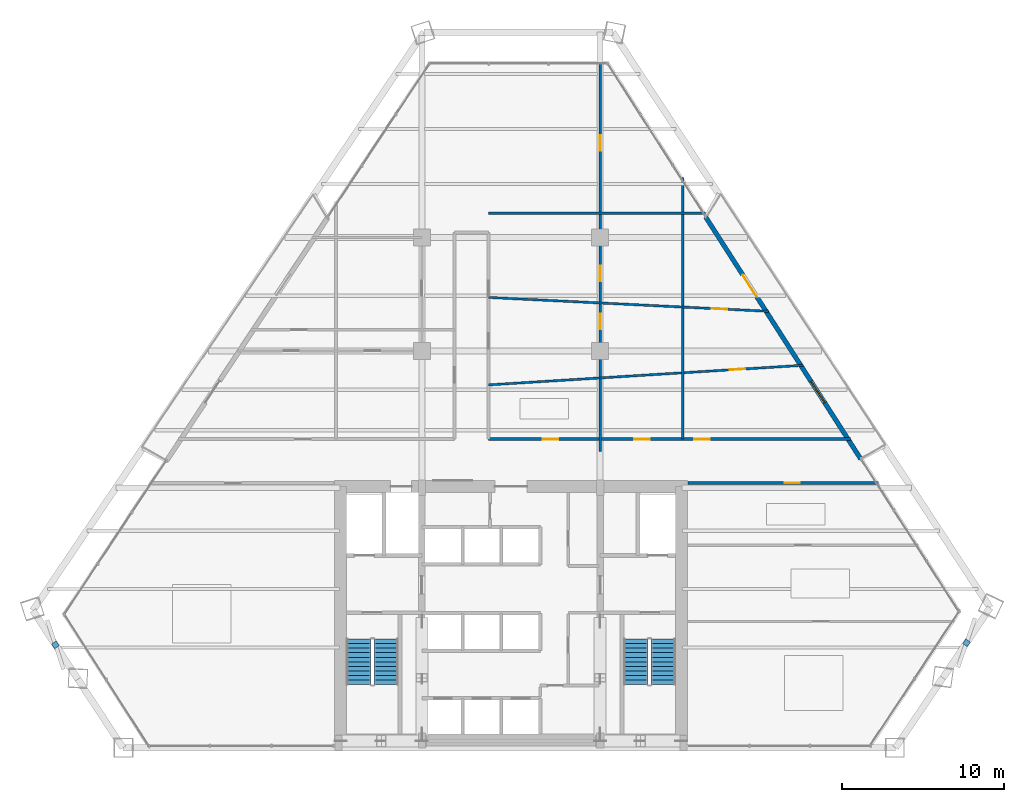
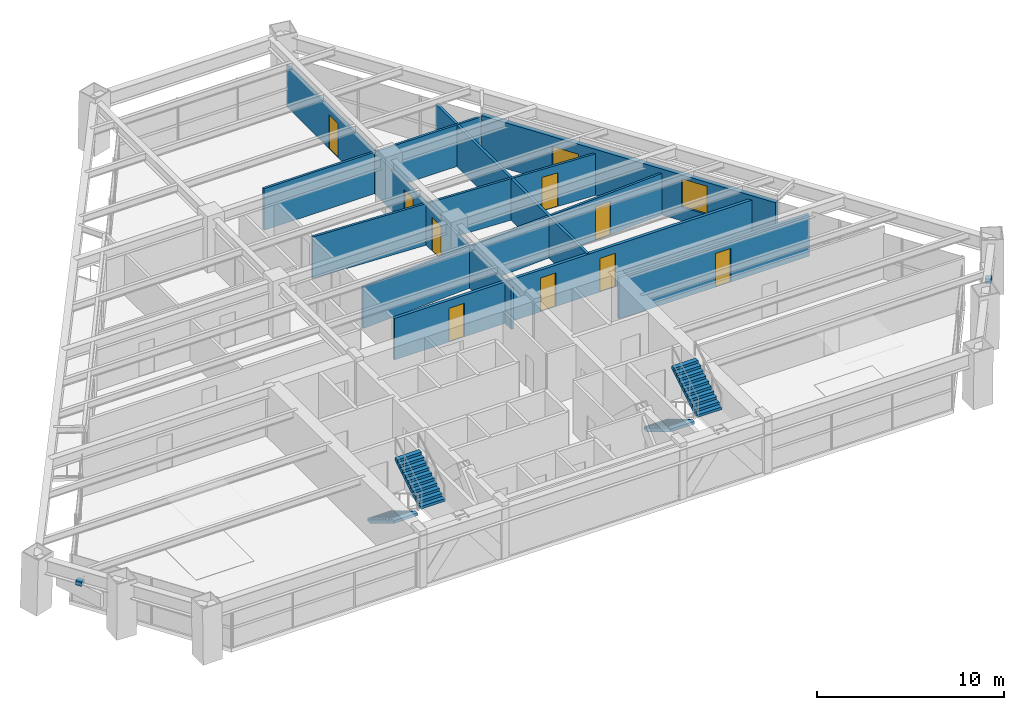
# One storey, part 12 of 14: 10 doors, 8 walls, 4 stair flights, 2 discrete accessories, 1 window, 11 openings, 2 elements without a shape of their own.
"""IFC4 building model written with IfcOpenShell, lengths in metres."""

from ifc_helpers import new_model, si_unit, direction, frame, frame_2d, origin, origin_2d, place, context, subcontext, project, spatial, polyline, rectangle, outline, extrude, source, transform, mapped, material, layer, layer_set, type_object, type_shapes, element, fill, aggregate, save


model = new_model("IFC4")

# Units and contexts
model_context = context("Model", 3, precision=1e-05, world=origin(), true_north=direction((0.0, 1.0)))
body_context = subcontext(model_context, "Body", "Model", "MODEL_VIEW")
ifc_project = project(units=[si_unit("LENGTHUNIT", "METRE"), si_unit("AREAUNIT", "SQUARE_METRE"), si_unit("VOLUMEUNIT", "CUBIC_METRE"), si_unit("PLANEANGLEUNIT", "RADIAN"), si_unit("MASSUNIT", "GRAM", prefix="KILO")], contexts=[model_context])

# Site, building, storey
site_placement = place(None, origin())
site = spatial("IfcSite", under=ifc_project, at=site_placement, CompositionType="ELEMENT")
building_placement = place(site_placement, origin())
building = spatial("IfcBuilding", under=site, at=building_placement, Name="Varnakhor Terracotta Tower", CompositionType="ELEMENT")
storey_placement = place(building_placement, frame((0.0, 0.0, 117.300048828125)))
storey = spatial("IfcBuildingStorey", under=building, at=storey_placement, Name="L29", CompositionType="ELEMENT", Elevation=117.300048828125)

# Wall, opening, door
ifc_material_1 = material(Name="Fire-Rated Gypsum Stud Partition", Category="gypsum")
ifc_layer_1 = layer(ifc_material_1, 0.18505859375, Name="Fire-Rated Gypsum Stud Partition")
ifc_layer_set_1 = layer_set([ifc_layer_1], Name="Fire-Rated Gypsum Stud Partition")
wall_type_1 = type_object("IfcWallType", Name="WAL-CORR-185", PredefinedType="PARTITIONING", material=ifc_layer_set_1)
wall_1_placement = place(storey_placement, frame((10.919921875, 16.35009765625, 0.0), z_axis=(0.0, 0.0, 1.0), x_axis=(1.0, 0.0, 0.0)))
wall_1 = element("IfcWall", 1, at=wall_1_placement, inside=storey, type_object=wall_type_1, Name="L29 South East Corridor Wall", PredefinedType="PARTITIONING", context=body_context, shape_type="SweptSolid", body=[
    extrude(rectangle(XDim=11.76806640625, YDim=0.18505859375, at=frame_2d((5.884033203125, 0.0))), origin(), (0.0, 0.0, 1.0), 2.717041015625),
])
opening_1_placement = place(wall_1_placement, frame((5.96337890625, 0.0, 0.0)))
opening_1 = element("IfcOpeningElement", 2, at=opening_1_placement, cuts=wall_1, Name="Opening DR-94", PredefinedType="OPENING", context=body_context, shape_type="SweptSolid", body=[
    extrude(rectangle(XDim=0.949951171875, YDim=2.199951171875, at=frame_2d((0.47509765625, 1.10009765625))), frame((0.0, 0.1025390625, 0.0), z_axis=(0.0, -1.0, 0.0), x_axis=(1.0, 0.0, 0.0)), (0.0, 0.0, 1.0), 0.205078125),
])
ifc_material_2 = material(Name="Acoustic Glazed-Vision Timber Office Door", Category="wood")
door_type_1 = type_object("IfcDoorType", Name="DR-OFF-950X2200", OperationType="NOTDEFINED", PredefinedType="DOOR", material=ifc_material_2)
shared_shape_1 = source(origin(), body_context, "Body", "SweptSolid", [
    extrude(rectangle(XDim=0.949951171875, YDim=2.199951171875, at=frame_2d((0.47509765625, 1.10009765625))), frame((0.0, 0.02490234375, 0.0), z_axis=(0.0, -1.0, 0.0), x_axis=(1.0, 0.0, 0.0)), (0.0, 0.0, 1.0), 0.050048828125),
])
type_shapes(door_type_1, [shared_shape_1])
door_1_placement = place(opening_1_placement, origin())
door_1 = element("IfcDoor", 3, at=door_1_placement, inside=storey, type_object=door_type_1, Name="L29 SE Suite Door", OperationType="SINGLE_SWING_LEFT", OverallHeight=2.199951171875, OverallWidth=0.949951171875, PredefinedType="DOOR", context=body_context, shape_type="MappedRepresentation", body=[
    mapped(shared_shape_1, transform((0.0, 0.0, 0.0), scale=1.0)),
])
fill(opening_1, door_1)

# Wall, openings, doors
wall_2_placement = place(storey_placement, frame((-1.39990234375, 19.050048828125, 0.0), z_axis=(0.0, 0.0, 1.0), x_axis=(1.0, 0.0, 0.0)))
wall_2 = element("IfcWall", 4, at=wall_2_placement, inside=storey, type_object=wall_type_1, Name="L29 Corridor North East Wall", PredefinedType="PARTITIONING", context=body_context, shape_type="SweptSolid", body=[
    extrude(rectangle(XDim=22.357421875, YDim=0.18505859375, at=frame_2d((11.1787109375, 0.0))), origin(), (0.0, 0.0, 1.0), 2.717041015625),
])
opening_2_placement = place(wall_2_placement, frame((12.715087890625, 0.0, 0.0)))
opening_2 = element("IfcOpeningElement", 5, at=opening_2_placement, cuts=wall_2, Name="Opening DR-94", PredefinedType="OPENING", context=body_context, shape_type="SweptSolid", body=[
    extrude(rectangle(XDim=0.949951171875, YDim=2.199951171875, at=frame_2d((0.47509765625, 1.10009765625))), frame((0.0, 0.1025390625, 0.0), z_axis=(0.0, -1.0, 0.0), x_axis=(1.0, 0.0, 0.0)), (0.0, 0.0, 1.0), 0.205078125),
])
opening_3_placement = place(wall_2_placement, frame((3.36328125, 0.0, 0.0)))
opening_3 = element("IfcOpeningElement", 6, at=opening_3_placement, cuts=wall_2, Name="Opening DR-94", PredefinedType="OPENING", context=body_context, shape_type="SweptSolid", body=[
    extrude(rectangle(XDim=0.949951171875, YDim=2.199951171875, at=frame_2d((0.47509765625, 1.10009765625))), frame((0.0, 0.1025390625, 0.0), z_axis=(0.0, -1.0, 0.0), x_axis=(1.0, 0.0, 0.0)), (0.0, 0.0, 1.0), 0.205078125),
])
opening_4_placement = place(wall_2_placement, frame((9.021484375, 0.0, 0.0)))
opening_4 = element("IfcOpeningElement", 7, at=opening_4_placement, cuts=wall_2, Name="Opening DR-94", PredefinedType="OPENING", context=body_context, shape_type="SweptSolid", body=[
    extrude(rectangle(XDim=0.949951171875, YDim=2.199951171875, at=frame_2d((0.47509765625, 1.10009765625))), frame((0.0, 0.1025390625, 0.0), z_axis=(0.0, -1.0, 0.0), x_axis=(1.0, 0.0, 0.0)), (0.0, 0.0, 1.0), 0.205078125),
])
door_2_placement = place(opening_2_placement, origin())
door_2 = element("IfcDoor", 8, at=door_2_placement, inside=storey, type_object=door_type_1, Name="L29 East Workplace Door", OperationType="SINGLE_SWING_LEFT", OverallHeight=2.199951171875, OverallWidth=0.949951171875, PredefinedType="DOOR", context=body_context, shape_type="MappedRepresentation", body=[
    mapped(shared_shape_1, transform((0.0, 0.0, 0.0), scale=1.0)),
])
fill(opening_2, door_2)
door_3_placement = place(opening_3_placement, origin())
door_3 = element("IfcDoor", 9, at=door_3_placement, inside=storey, type_object=door_type_1, Name="L29 Executive Dining Salon B6 Door", OperationType="SINGLE_SWING_LEFT", OverallHeight=2.199951171875, OverallWidth=0.949951171875, PredefinedType="DOOR", context=body_context, shape_type="MappedRepresentation", body=[
    mapped(shared_shape_1, transform((0.0, 0.0, 0.0), scale=1.0)),
])
fill(opening_3, door_3)
door_4_placement = place(opening_4_placement, origin())
door_4 = element("IfcDoor", 10, at=door_4_placement, inside=storey, type_object=door_type_1, Name="L29 Staff Pantry B7 Door", OperationType="SINGLE_SWING_RIGHT", OverallHeight=2.199951171875, OverallWidth=0.949951171875, PredefinedType="DOOR", context=body_context, shape_type="MappedRepresentation", body=[
    mapped(shared_shape_1, transform((0.0, 0.0, 0.0), scale=1.0)),
])
fill(opening_4, door_4)

# Wall, openings, door, window
ifc_material_3 = material(Name="Extruded Architectural Terracotta Assembly", Category="masonry")
ifc_layer_2 = layer(ifc_material_3, 0.280029296875, Name="Extruded Architectural Terracotta Assembly")
ifc_layer_set_2 = layer_set([ifc_layer_2], Name="Extruded Architectural Terracotta Assembly")
wall_type_2 = type_object("IfcWallType", Name="WAL-EXT-TERRACOTTA-280", PredefinedType="SOLIDWALL", material=ifc_layer_set_2)
wall_3_placement = place(storey_placement, frame((12.008056640625, 32.7724609375, 0.0), z_axis=(0.0, 0.0, 1.0), x_axis=(0.539602594501, -0.841919853673, 0.0)))
wall_3 = element("IfcWall", 11, at=wall_3_placement, inside=storey, type_object=wall_type_2, Name="L29 E Loggia Insulated Terracotta Wall", PredefinedType="SOLIDWALL", context=body_context, shape_type="SweptSolid", body=[
    extrude(rectangle(XDim=17.7421875, YDim=0.280029296875, at=frame_2d((8.87109375, 0.0))), origin(), (0.0, 0.0, 1.0), 3.0),
])
opening_5_placement = place(wall_3_placement, frame((4.258056640625, 0.0, 0.0)))
opening_5 = element("IfcOpeningElement", 12, at=opening_5_placement, cuts=wall_3, Name="Opening DR-62", PredefinedType="OPENING", context=body_context, shape_type="SweptSolid", body=[
    extrude(rectangle(XDim=1.60009765625, YDim=2.35009765625, at=frame_2d((0.800048828125, 1.175048828125))), frame((0.0, 0.14990234375, 0.0), z_axis=(0.0, -1.0, 0.0), x_axis=(1.0, 0.0, 0.0)), (0.0, 0.0, 1.0), 0.300048828125),
])
opening_6_placement = place(wall_3_placement, frame((12.064697265625, 0.0, 0.89990234375)))
opening_6 = element("IfcOpeningElement", 13, at=opening_6_placement, cuts=wall_3, Name="Opening WN-57", PredefinedType="OPENING", context=body_context, shape_type="SweptSolid", body=[
    extrude(rectangle(XDim=1.550048828125, YDim=1.85009765625, at=frame_2d((0.77490234375, 0.925048828125))), frame((0.0, 0.14990234375, 0.0), z_axis=(0.0, -1.0, 0.0), x_axis=(1.0, 0.0, 0.0)), (0.0, 0.0, 1.0), 0.300048828125),
])
ifc_material_4 = material(Name="Thermally Broken Sliding Glass Loggia Door", Category="glass")
door_type_2 = type_object("IfcDoorType", Name="DR-EXT-LOGGIA-1600X2350", OperationType="NOTDEFINED", PredefinedType="DOOR", material=ifc_material_4)
shared_shape_2 = source(origin(), body_context, "Body", "SweptSolid", [
    extrude(rectangle(XDim=1.60009765625, YDim=2.35009765625, at=frame_2d((0.800048828125, 1.175048828125))), frame((0.0, 0.02490234375, 0.0), z_axis=(0.0, -1.0, 0.0), x_axis=(1.0, 0.0, 0.0)), (0.0, 0.0, 1.0), 0.050048828125),
])
type_shapes(door_type_2, [shared_shape_2])
door_5_placement = place(opening_5_placement, origin())
door_5 = element("IfcDoor", 14, at=door_5_placement, inside=storey, type_object=door_type_2, Name="L29 E Recessed Loggia Sliding Door", OperationType="SLIDING_TO_RIGHT", OverallHeight=2.35009765625, OverallWidth=1.60009765625, PredefinedType="DOOR", context=body_context, shape_type="MappedRepresentation", body=[
    mapped(shared_shape_2, transform((0.0, 0.0, 0.0), scale=1.0)),
])
fill(opening_5, door_5)
ifc_material_5 = material(Name="Solar-Control Low-E Insulated Glass Unit", Category="glass")
window_type = type_object("IfcWindowType", Name="WIN-OFF-1650X2100", PartitioningType="SINGLE_PANEL", PredefinedType="WINDOW", material=ifc_material_5)
shared_shape_3 = source(origin(), body_context, "Body", "SweptSolid", [
    extrude(rectangle(XDim=1.550048828125, YDim=1.85009765625, at=frame_2d((0.77490234375, 0.925048828125))), frame((0.0, 0.030029296875, 0.0), z_axis=(0.0, -1.0, 0.0), x_axis=(1.0, 0.0, 0.0)), (0.0, 0.0, 1.0), 0.06005859375),
])
type_shapes(window_type, [shared_shape_3])
window_placement = place(opening_6_placement, origin())
window = element("IfcWindow", 15, at=window_placement, inside=storey, type_object=window_type, Name="L29 E Facet Punched Window", OverallHeight=1.85009765625, OverallWidth=1.550048828125, PartitioningType="SINGLE_PANEL", PredefinedType="WINDOW", context=body_context, shape_type="MappedRepresentation", body=[
    mapped(shared_shape_3, transform((0.0, 0.0, 0.0), scale=1.0)),
])
fill(opening_6, window)

# Wall, openings, doors
ifc_material_6 = material(Name="Acoustic Metal-Stud Partition", Category="gypsum")
ifc_layer_3 = layer(ifc_material_6, 0.139892578125, Name="Acoustic Metal-Stud Partition")
ifc_layer_set_3 = layer_set([ifc_layer_3], Name="Acoustic Metal-Stud Partition")
wall_type_3 = type_object("IfcWallType", Name="WAL-PART-140", PredefinedType="PARTITIONING", material=ifc_layer_set_3)
wall_4_placement = place(storey_placement, frame((5.5, 18.300048828125, 0.0), z_axis=(0.0, 0.0, 1.0), x_axis=(0.0, 1.0, 0.0)))
wall_4 = element("IfcWall", 16, at=wall_4_placement, inside=storey, type_object=wall_type_3, Name="L29 East Full Column Wall", PredefinedType="PARTITIONING", context=body_context, shape_type="SweptSolid", body=[
    extrude(rectangle(XDim=24.04345703125, YDim=0.139892578125, at=frame_2d((12.021728515625, 0.0))), origin(), (0.0, 0.0, 1.0), 2.717041015625),
])
opening_7_placement = place(wall_4_placement, frame((10.494384765625, 0.0, 0.0)))
opening_7 = element("IfcOpeningElement", 17, at=opening_7_placement, cuts=wall_4, Name="Opening DR-94", PredefinedType="OPENING", context=body_context, shape_type="SweptSolid", body=[
    extrude(rectangle(XDim=0.949951171875, YDim=2.199951171875, at=frame_2d((0.47509765625, 1.10009765625))), frame((0.0, 0.080078125, 0.0), z_axis=(0.0, -1.0, 0.0), x_axis=(1.0, 0.0, 0.0)), (0.0, 0.0, 1.0), 0.159912109375),
])
opening_8_placement = place(wall_4_placement, frame((18.554931640625, 0.0, 0.0)))
opening_8 = element("IfcOpeningElement", 18, at=opening_8_placement, cuts=wall_4, Name="Opening DR-94", PredefinedType="OPENING", context=body_context, shape_type="SweptSolid", body=[
    extrude(rectangle(XDim=0.949951171875, YDim=2.199951171875, at=frame_2d((0.47509765625, 1.10009765625))), frame((0.0, 0.080078125, 0.0), z_axis=(0.0, -1.0, 0.0), x_axis=(1.0, 0.0, 0.0)), (0.0, 0.0, 1.0), 0.159912109375),
])
opening_9_placement = place(wall_4_placement, frame((7.527099609375, 0.0, 0.0)))
opening_9 = element("IfcOpeningElement", 19, at=opening_9_placement, cuts=wall_4, Name="Opening DR-94", PredefinedType="OPENING", context=body_context, shape_type="SweptSolid", body=[
    extrude(rectangle(XDim=0.949951171875, YDim=2.199951171875, at=frame_2d((0.47509765625, 1.10009765625))), frame((0.0, 0.080078125, 0.0), z_axis=(0.0, -1.0, 0.0), x_axis=(1.0, 0.0, 0.0)), (0.0, 0.0, 1.0), 0.159912109375),
])
door_6_placement = place(opening_7_placement, origin())
door_6 = element("IfcDoor", 20, at=door_6_placement, inside=storey, type_object=door_type_1, Name="L29 Director Office 2 B19 Door", OperationType="SINGLE_SWING_RIGHT", OverallHeight=2.199951171875, OverallWidth=0.949951171875, PredefinedType="DOOR", context=body_context, shape_type="MappedRepresentation", body=[
    mapped(shared_shape_1, transform((0.0, 0.0, 0.0), scale=1.0)),
])
fill(opening_7, door_6)
door_7_placement = place(opening_8_placement, origin())
door_7 = element("IfcDoor", 21, at=door_7_placement, inside=storey, type_object=door_type_1, Name="L29 Innovation Workshop B21 Door", OperationType="SINGLE_SWING_LEFT", OverallHeight=2.199951171875, OverallWidth=0.949951171875, PredefinedType="DOOR", context=body_context, shape_type="MappedRepresentation", body=[
    mapped(shared_shape_1, transform((0.0, 0.0, 0.0), scale=1.0)),
])
fill(opening_8, door_7)
door_8_placement = place(opening_9_placement, origin())
door_8 = element("IfcDoor", 22, at=door_8_placement, inside=storey, type_object=door_type_1, Name="L29 Staff Pantry B15 Door", OperationType="SINGLE_SWING_LEFT", OverallHeight=2.199951171875, OverallWidth=0.949951171875, PredefinedType="DOOR", context=body_context, shape_type="MappedRepresentation", body=[
    mapped(shared_shape_1, transform((0.0, 0.0, 0.0), scale=1.0)),
])
fill(opening_9, door_8)

# Wall, opening, door
wall_5_placement = place(storey_placement, frame((-1.39990234375, 22.39990234375, 0.0), z_axis=(0.0, 0.0, 1.0), x_axis=(0.998063588678, 0.062201872609, 0.0)))
wall_5 = element("IfcWall", 23, at=wall_5_placement, inside=storey, type_object=wall_type_3, Name="L29 East Wing Cut 1", PredefinedType="PARTITIONING", context=body_context, shape_type="SweptSolid", body=[
    extrude(rectangle(XDim=19.4716796875, YDim=0.139892578125, at=frame_2d((9.73583984375, 0.0))), origin(), (0.0, 0.0, 1.0), 2.717041015625),
])
opening_10_placement = place(wall_5_placement, frame((14.93798828125, 0.0, 0.0)))
opening_10 = element("IfcOpeningElement", 24, at=opening_10_placement, cuts=wall_5, Name="Opening DR-94", PredefinedType="OPENING", context=body_context, shape_type="SweptSolid", body=[
    extrude(rectangle(XDim=0.949951171875, YDim=2.199951171875, at=frame_2d((0.47509765625, 1.10009765625))), frame((0.0, 0.080078125, 0.0), z_axis=(0.0, -1.0, 0.0), x_axis=(1.0, 0.0, 0.0)), (0.0, 0.0, 1.0), 0.159912109375),
])
door_9_placement = place(opening_10_placement, origin())
door_9 = element("IfcDoor", 25, at=door_9_placement, inside=storey, type_object=door_type_1, Name="L29 Director Office 3 Door", OperationType="SINGLE_SWING_LEFT", OverallHeight=2.199951171875, OverallWidth=0.949951171875, PredefinedType="DOOR", context=body_context, shape_type="MappedRepresentation", body=[
    mapped(shared_shape_1, transform((0.0, 0.0, 0.0), scale=1.0)),
])
fill(opening_10, door_9)

wall_6_placement = place(storey_placement, frame((-1.39990234375, 27.800048828125, 0.0), z_axis=(0.0, 0.0, 1.0), x_axis=(0.998773235939, -0.049517907586, 0.0)))
wall_6 = element("IfcWall", 26, at=wall_6_placement, inside=storey, type_object=wall_type_3, Name="L29 East Wing Cut 2", PredefinedType="PARTITIONING", context=body_context, shape_type="SweptSolid", body=[
    extrude(rectangle(XDim=17.3203125, YDim=0.139892578125, at=frame_2d((8.66015625, 0.0))), origin(), (0.0, 0.0, 1.0), 2.717041015625),
])
opening_11_placement = place(wall_6_placement, frame((13.81201171875, 0.0, 0.0)))
opening_11 = element("IfcOpeningElement", 27, at=opening_11_placement, cuts=wall_6, Name="Opening DR-94", PredefinedType="OPENING", context=body_context, shape_type="SweptSolid", body=[
    extrude(rectangle(XDim=0.949951171875, YDim=2.199951171875, at=frame_2d((0.47509765625, 1.10009765625))), frame((0.0, 0.080078125, 0.0), z_axis=(0.0, -1.0, 0.0), x_axis=(1.0, 0.0, 0.0)), (0.0, 0.0, 1.0), 0.159912109375),
])
door_10_placement = place(opening_11_placement, origin())
door_10 = element("IfcDoor", 28, at=door_10_placement, inside=storey, type_object=door_type_1, Name="L29 Executive Dining Salon Door", OperationType="SINGLE_SWING_LEFT", OverallHeight=2.199951171875, OverallWidth=0.949951171875, PredefinedType="DOOR", context=body_context, shape_type="MappedRepresentation", body=[
    mapped(shared_shape_1, transform((0.0, 0.0, 0.0), scale=1.0)),
])
fill(opening_11, door_10)

# Walls
wall_7_placement = place(storey_placement, frame((-1.39990234375, 33.0, 0.0), z_axis=(0.0, 0.0, 1.0), x_axis=(1.0, 0.0, 0.0)))
element("IfcWall", 29, at=wall_7_placement, inside=storey, type_object=wall_type_3, Name="L29 East Wing Cut 3", PredefinedType="PARTITIONING", context=body_context, shape_type="SweptSolid", body=[
    extrude(rectangle(XDim=13.41650390625, YDim=0.139892578125, at=frame_2d((6.708251953125, 0.0))), origin(), (0.0, 0.0, 1.0), 2.717041015625),
])
ifc_material_7 = material(Name="Acoustic Fire-Rated Partition", Category="gypsum")
ifc_layer_4 = layer(ifc_material_7, 0.1650390625, Name="Acoustic Fire-Rated Partition")
ifc_layer_set_4 = layer_set([ifc_layer_4], Name="Acoustic Fire-Rated Partition")
wall_type_4 = type_object("IfcWallType", Name="WAL-TENANCY-165", PredefinedType="PARTITIONING", material=ifc_layer_set_4)
wall_8_placement = place(storey_placement, frame((10.60009765625, 19.050048828125, 0.0), z_axis=(0.0, 0.0, 1.0), x_axis=(0.0, 1.0, 0.0)))
element("IfcWall", 30, at=wall_8_placement, inside=storey, type_object=wall_type_4, Name="L29 East Cellular Line", PredefinedType="PARTITIONING", context=body_context, shape_type="SweptSolid", body=[
    extrude(rectangle(XDim=16.159912109375, YDim=0.1650390625, at=frame_2d((8.080078125, 0.0))), origin(), (0.0, 0.0, 1.0), 2.717041015625),
])

# Stair, stair flights
ifc_material_8 = material(Name="Concrete C40/50", Category="concrete")
stair_type = type_object("IfcStairType", Name="STR-CORE-OFFICE-1500", PredefinedType="HALF_TURN_STAIR", material=ifc_material_8)
stair_1_placement = place(storey_placement, origin())
stair_1 = element("IfcStair", 31, at=stair_1_placement, inside=storey, type_object=stair_type, Name="L29 Core Exit Stair ST-1", PredefinedType="HALF_TURN_STAIR")
stair_flight_type = type_object("IfcStairFlightType", Name="FLT-CORE-1500", PredefinedType="STRAIGHT", material=ifc_material_8)
stair_flight_1_placement = place(storey_placement, frame((-9.39990234375, 6.7099609375, 0.0), z_axis=(0.0, 0.0, 1.0), x_axis=(0.0, -1.0, 0.0)))
stair_flight_1 = element("IfcStairFlight", 32, at=stair_flight_1_placement, type_object=stair_flight_type, Name="ST-1 flight 1", NumberOfRisers=11, NumberOfTreads=10, PredefinedType="STRAIGHT", RiserHeight=0.168181818, TreadLength=0.28, context=body_context, shape_type="SweptSolid", body=[
    extrude(outline(polyline([(0.0, 0.0), (0.0, 0.168212890625), (0.280029296875, 0.168212890625), (0.280029296875, 0.33642578125), (0.56005859375, 0.33642578125), (0.56005859375, 0.504638671875), (0.840087890625, 0.504638671875), (0.840087890625, 0.672607421875), (1.1201171875, 0.672607421875), (1.1201171875, 0.8408203125), (1.39990234375, 0.8408203125), (1.39990234375, 1.009033203125), (1.679931640625, 1.009033203125), (1.679931640625, 1.17724609375), (1.9599609375, 1.17724609375), (1.9599609375, 1.345458984375), (2.239990234375, 1.345458984375), (2.239990234375, 1.513671875), (2.52001953125, 1.513671875), (2.52001953125, 1.681884765625), (2.800048828125, 1.681884765625), (2.800048828125, 1.85009765625), (2.800048828125, 1.495361328125), (0.310546875, 0.0), (0.0, 0.0)])), frame((0.0, 0.75, 0.0), z_axis=(0.0, -1.0, 0.0), x_axis=(1.0, 0.0, 0.0)), (0.0, 0.0, 1.0), 1.5),
])
stair_flight_2_placement = place(storey_placement, frame((-7.699951171875, 3.909912109375, 1.849853515625), z_axis=(0.0, 0.0, 1.0), x_axis=(0.0, 1.0, 0.0)))
stair_flight_2 = element("IfcStairFlight", 33, at=stair_flight_2_placement, type_object=stair_flight_type, Name="ST-1 flight 2", NumberOfRisers=11, NumberOfTreads=10, PredefinedType="STRAIGHT", RiserHeight=0.168181818, TreadLength=0.28, context=body_context, shape_type="SweptSolid", body=[
    extrude(outline(polyline([(0.0, 0.0), (0.0, 0.168212890625), (0.280029296875, 0.168212890625), (0.280029296875, 0.33642578125), (0.56005859375, 0.33642578125), (0.56005859375, 0.504638671875), (0.840087890625, 0.504638671875), (0.840087890625, 0.672607421875), (1.1201171875, 0.672607421875), (1.1201171875, 0.8408203125), (1.39990234375, 0.8408203125), (1.39990234375, 1.009033203125), (1.679931640625, 1.009033203125), (1.679931640625, 1.17724609375), (1.9599609375, 1.17724609375), (1.9599609375, 1.345458984375), (2.239990234375, 1.345458984375), (2.239990234375, 1.513671875), (2.52001953125, 1.513671875), (2.52001953125, 1.681884765625), (2.800048828125, 1.681884765625), (2.800048828125, 1.85009765625), (2.800048828125, 1.495361328125), (0.310546875, 0.0), (0.0, 0.0)])), frame((0.0, 0.75, 0.0), z_axis=(0.0, -1.0, 0.0), x_axis=(1.0, 0.0, 0.0)), (0.0, 0.0, 1.0), 1.5),
])
aggregate(stair_1, [stair_flight_1, stair_flight_2])

stair_2_placement = place(storey_placement, origin())
stair_2 = element("IfcStair", 34, at=stair_2_placement, inside=storey, type_object=stair_type, Name="L29 Core Exit Stair ST-2", PredefinedType="HALF_TURN_STAIR")
stair_flight_3_placement = place(storey_placement, frame((7.699951171875, 6.7099609375, 0.0), z_axis=(0.0, 0.0, 1.0), x_axis=(0.0, -1.0, 0.0)))
stair_flight_3 = element("IfcStairFlight", 35, at=stair_flight_3_placement, type_object=stair_flight_type, Name="ST-2 flight 1", NumberOfRisers=11, NumberOfTreads=10, PredefinedType="STRAIGHT", RiserHeight=0.168181818, TreadLength=0.28, context=body_context, shape_type="SweptSolid", body=[
    extrude(outline(polyline([(0.0, 0.0), (0.0, 0.168212890625), (0.280029296875, 0.168212890625), (0.280029296875, 0.33642578125), (0.56005859375, 0.33642578125), (0.56005859375, 0.504638671875), (0.840087890625, 0.504638671875), (0.840087890625, 0.672607421875), (1.1201171875, 0.672607421875), (1.1201171875, 0.8408203125), (1.39990234375, 0.8408203125), (1.39990234375, 1.009033203125), (1.679931640625, 1.009033203125), (1.679931640625, 1.17724609375), (1.9599609375, 1.17724609375), (1.9599609375, 1.345458984375), (2.239990234375, 1.345458984375), (2.239990234375, 1.513671875), (2.52001953125, 1.513671875), (2.52001953125, 1.681884765625), (2.800048828125, 1.681884765625), (2.800048828125, 1.85009765625), (2.800048828125, 1.495361328125), (0.310546875, 0.0), (0.0, 0.0)])), frame((0.0, 0.75, 0.0), z_axis=(0.0, -1.0, 0.0), x_axis=(1.0, 0.0, 0.0)), (0.0, 0.0, 1.0), 1.5),
])
stair_flight_4_placement = place(storey_placement, frame((9.39990234375, 3.909912109375, 1.849853515625), z_axis=(0.0, 0.0, 1.0), x_axis=(0.0, 1.0, 0.0)))
stair_flight_4 = element("IfcStairFlight", 36, at=stair_flight_4_placement, type_object=stair_flight_type, Name="ST-2 flight 2", NumberOfRisers=11, NumberOfTreads=10, PredefinedType="STRAIGHT", RiserHeight=0.168181818, TreadLength=0.28, context=body_context, shape_type="SweptSolid", body=[
    extrude(outline(polyline([(0.0, 0.0), (0.0, 0.168212890625), (0.280029296875, 0.168212890625), (0.280029296875, 0.33642578125), (0.56005859375, 0.33642578125), (0.56005859375, 0.504638671875), (0.840087890625, 0.504638671875), (0.840087890625, 0.672607421875), (1.1201171875, 0.672607421875), (1.1201171875, 0.8408203125), (1.39990234375, 0.8408203125), (1.39990234375, 1.009033203125), (1.679931640625, 1.009033203125), (1.679931640625, 1.17724609375), (1.9599609375, 1.17724609375), (1.9599609375, 1.345458984375), (2.239990234375, 1.345458984375), (2.239990234375, 1.513671875), (2.52001953125, 1.513671875), (2.52001953125, 1.681884765625), (2.800048828125, 1.681884765625), (2.800048828125, 1.85009765625), (2.800048828125, 1.495361328125), (0.310546875, 0.0), (0.0, 0.0)])), frame((0.0, 0.75, 0.0), z_axis=(0.0, -1.0, 0.0), x_axis=(1.0, 0.0, 0.0)), (0.0, 0.0, 1.0), 1.5),
])
aggregate(stair_2, [stair_flight_3, stair_flight_4])

# Discrete accessories
ifc_material_9 = material(Name="Stainless Steel Fixing Bracket", Category="steel")
discrete_accessory_type = type_object("IfcDiscreteAccessoryType", Name="BRACKET-TERRACOTTA-SCREEN", PredefinedType="BRACKET", material=ifc_material_9)
shared_shape_4 = source(origin(), body_context, "Body", "SweptSolid", [
    extrude(rectangle(XDim=0.35009765625, YDim=0.35009765625, at=origin_2d()), origin(), (0.0, 0.0, 1.0), 0.280029296875),
])
type_shapes(discrete_accessory_type, [shared_shape_4])
for number, where, z_axis, x_axis, name in (
    (37, (28.112548828125, 6.483642578125, 2.36279296875), (0.0, 0.0, 1.0), (0.560205346355, 0.828353770991, 0.0), "L29 E Screen Fixing Bracket"),
    (38, (-28.122314453125, 6.35595703125, 2.36279296875), (0.0, 0.0, 1.0), (0.548351611971, -0.836247875721, 0.0), "L29 W Screen Fixing Bracket"),
):
    element("IfcDiscreteAccessory", number, at=place(storey_placement, frame(where, z_axis=z_axis, x_axis=x_axis)), inside=storey, type_object=discrete_accessory_type, Name=name, PredefinedType="BRACKET", context=body_context, shape_type="MappedRepresentation", body=[
        mapped(shared_shape_4, transform((0.0, 0.0, 0.0), scale=1.0)),
    ])

save(model, "model.ifc")
